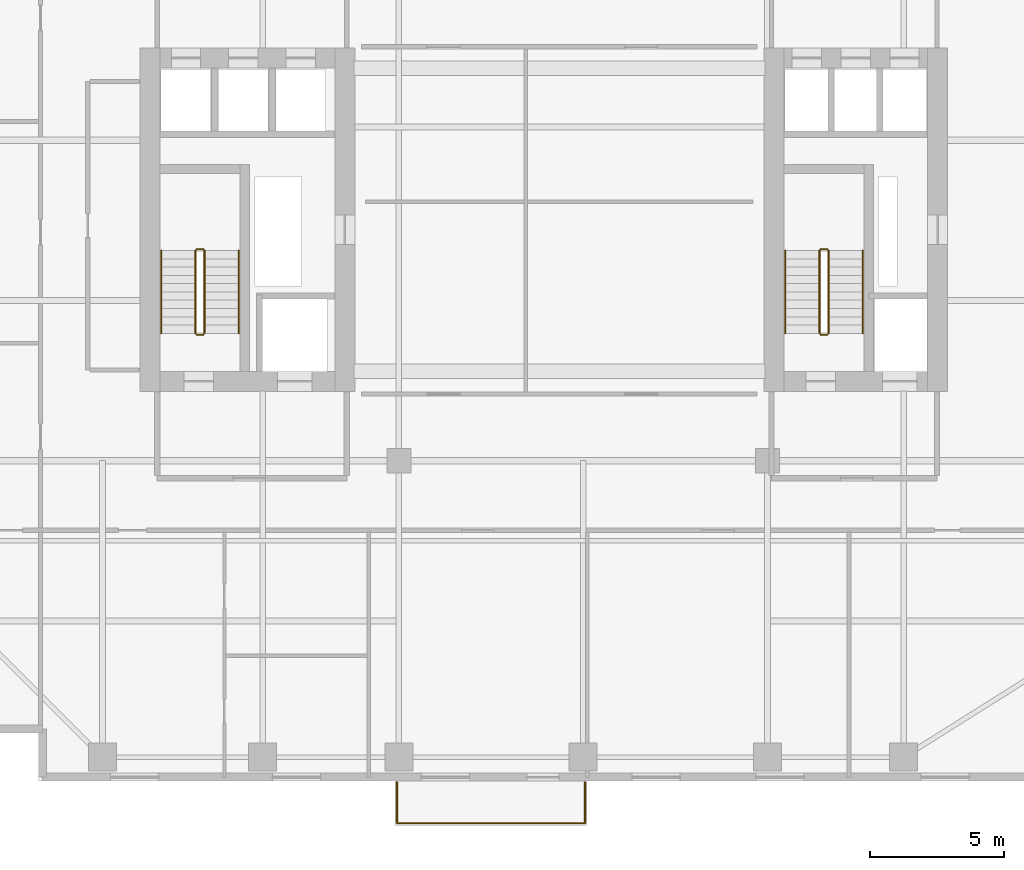
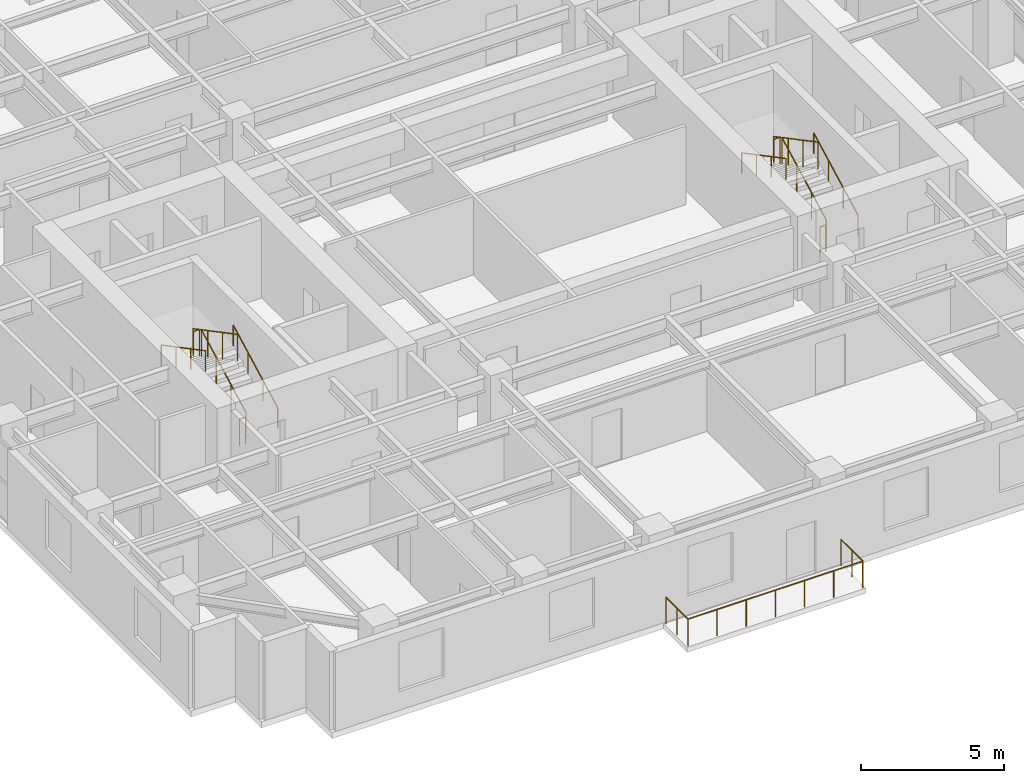
# One storey, part 13 of 14: 13 railings.
"""IFC4 building model written with IfcOpenShell, lengths in metres."""

from ifc_helpers import new_model, si_unit, direction, frame, origin, origin_2d, place, context, subcontext, project, spatial, circle, extrude, material, type_object, element, save


model = new_model("IFC4")

# Units and contexts
model_context = context("Model", 3, precision=1e-05, world=origin(), true_north=direction((0.0, 1.0)))
body_context = subcontext(model_context, "Body", "Model", "MODEL_VIEW")
ifc_project = project(units=[si_unit("LENGTHUNIT", "METRE"), si_unit("AREAUNIT", "SQUARE_METRE"), si_unit("VOLUMEUNIT", "CUBIC_METRE"), si_unit("PLANEANGLEUNIT", "RADIAN"), si_unit("MASSUNIT", "GRAM", prefix="KILO")], contexts=[model_context])

# Site, building, storey
site_placement = place(None, origin())
site = spatial("IfcSite", under=ifc_project, at=site_placement, CompositionType="ELEMENT")
building_placement = place(site_placement, origin())
building = spatial("IfcBuilding", under=site, at=building_placement, Name="Khoralis Quay Care Tower", CompositionType="ELEMENT")
storey_placement = place(building_placement, frame((0.0, 0.0, 108.89990234375)))
storey = spatial("IfcBuildingStorey", under=building, at=storey_placement, Name="L28", CompositionType="ELEMENT", Elevation=108.89990234375)

# Railings
ifc_material_1 = material(Name="Pale anodised aluminium", Category="aluminium")
railing_type_1 = type_object("IfcRailingType", Name="RL-BALUST-1150", PredefinedType="BALUSTRADE", material=ifc_material_1)
railing_1_placement = place(storey_placement, frame((17.030029296875, -0.0400390625, -0.039794921875)))
element("IfcRailing", 1, at=railing_1_placement, inside=storey, type_object=railing_type_1, Name="L28 Senior Loggia Balcony Guard", PredefinedType="BALUSTRADE", context=body_context, shape_type="SweptSolid", body=[
    extrude(circle(Radius=0.02392578125, at=origin_2d()), frame((0.0, 0.0, 1.1259765625), z_axis=(0.0, -1.0, 0.0), x_axis=(1.0, 0.0, 0.0)), (0.0, 0.0, 1.0), 1.530029296875),
    extrude(circle(Radius=0.02392578125, at=origin_2d()), frame((0.0, -1.530029296875, 1.1259765625), z_axis=(1.0, 0.0, 0.0), x_axis=(0.0, 1.0, 0.0)), (0.0, 0.0, 1.0), 7.0400390625),
    extrude(circle(Radius=0.02392578125, at=origin_2d()), frame((7.0400390625, -1.530029296875, 1.1259765625), z_axis=(0.0, 1.0, 0.0), x_axis=(-1.0, 0.0, 0.0)), (0.0, 0.0, 1.0), 1.530029296875),
    extrude(circle(Radius=0.02099609375, at=origin_2d()), origin(), (0.0, 0.0, 1.0), 1.101806640625),
    extrude(circle(Radius=0.02099609375, at=origin_2d()), frame((0.0, -0.76513671875, 0.0)), (0.0, 0.0, 1.0), 1.101806640625),
    extrude(circle(Radius=0.02099609375, at=origin_2d()), frame((0.0, -1.530029296875, 0.0)), (0.0, 0.0, 1.0), 1.101806640625),
    extrude(circle(Radius=0.02099609375, at=origin_2d()), frame((1.17333984375, -1.530029296875, 0.0)), (0.0, 0.0, 1.0), 1.101806640625),
    extrude(circle(Radius=0.02099609375, at=origin_2d()), frame((2.3466796875, -1.530029296875, 0.0)), (0.0, 0.0, 1.0), 1.101806640625),
    extrude(circle(Radius=0.02099609375, at=origin_2d()), frame((3.52001953125, -1.530029296875, 0.0)), (0.0, 0.0, 1.0), 1.101806640625),
    extrude(circle(Radius=0.02099609375, at=origin_2d()), frame((4.693359375, -1.530029296875, 0.0)), (0.0, 0.0, 1.0), 1.101806640625),
    extrude(circle(Radius=0.02099609375, at=origin_2d()), frame((5.86669921875, -1.530029296875, 0.0)), (0.0, 0.0, 1.0), 1.101806640625),
    extrude(circle(Radius=0.02099609375, at=origin_2d()), frame((7.0400390625, -1.530029296875, 0.0)), (0.0, 0.0, 1.0), 1.101806640625),
    extrude(circle(Radius=0.02099609375, at=origin_2d()), frame((7.0400390625, -0.76513671875, 0.0)), (0.0, 0.0, 1.0), 1.101806640625),
    extrude(circle(Radius=0.02099609375, at=origin_2d()), frame((7.0400390625, 0.0, 0.0)), (0.0, 0.0, 1.0), 1.101806640625),
])
ifc_material_2 = material(Name="Brushed stainless steel", Category="steel")
railing_type_2 = type_object("IfcRailingType", Name="RL-GUARD-1150", PredefinedType="GUARDRAIL", material=ifc_material_2)
railing_2_placement = place(storey_placement, frame((9.820068359375, 16.77001953125, 0.163818359375)))
element("IfcRailing", 2, at=railing_2_placement, inside=storey, type_object=railing_type_2, Name="L28 ST-T1 stair guard 1", PredefinedType="GUARDRAIL", context=body_context, shape_type="SweptSolid", body=[
    extrude(circle(Radius=0.02392578125, at=origin_2d()), frame((0.0, 0.0, 1.1259765625), z_axis=(0.0, 0.884376766648, 0.46677375099), x_axis=(-1.0, 0.0, 0.0)), (0.0, 0.0, 1.0), 3.50537109375),
    extrude(circle(Radius=0.02099609375, at=origin_2d()), origin(), (0.0, 0.0, 1.0), 1.101806640625),
    extrude(circle(Radius=0.02099609375, at=origin_2d()), frame((0.0, 1.033447265625, 0.54541015625)), (0.0, 0.0, 1.0), 1.101806640625),
    extrude(circle(Radius=0.02099609375, at=origin_2d()), frame((0.0, 2.066650390625, 1.0908203125)), (0.0, 0.0, 1.0), 1.101806640625),
    extrude(circle(Radius=0.02099609375, at=origin_2d()), frame((0.0, 3.10009765625, 1.63623046875)), (0.0, 0.0, 1.0), 1.101806640625),
])
railing_3_placement = place(storey_placement, frame((9.77001953125, 19.919921875, 1.800048828125)))
element("IfcRailing", 3, at=railing_3_placement, inside=storey, type_object=railing_type_2, Name="L28 ST-T1 stair guard 2", PredefinedType="GUARDRAIL", context=body_context, shape_type="SweptSolid", body=[
    extrude(circle(Radius=0.02392578125, at=origin_2d()), frame((0.0, 0.0, 1.1259765625), z_axis=(-1.0, 0.0, 0.0), x_axis=(0.0, -1.0, 0.0)), (0.0, 0.0, 1.0), 0.239990234375),
    extrude(circle(Radius=0.02099609375, at=origin_2d()), origin(), (0.0, 0.0, 1.0), 1.101806640625),
    extrude(circle(Radius=0.02099609375, at=origin_2d()), frame((-0.239990234375, 0.0, 0.0)), (0.0, 0.0, 1.0), 1.101806640625),
])
railing_4_placement = place(storey_placement, frame((9.47998046875, 19.8701171875, 1.963623046875)))
element("IfcRailing", 4, at=railing_4_placement, inside=storey, type_object=railing_type_2, Name="L28 ST-T1 stair guard 3", PredefinedType="GUARDRAIL", context=body_context, shape_type="SweptSolid", body=[
    extrude(circle(Radius=0.02392578125, at=origin_2d()), frame((0.0, 0.0, 1.1259765625), z_axis=(0.0, -0.884348015382, 0.466828220752), x_axis=(1.0, 0.0, 0.0)), (0.0, 0.0, 1.0), 3.505615234375),
    extrude(circle(Radius=0.02099609375, at=origin_2d()), origin(), (0.0, 0.0, 1.0), 1.101806640625),
    extrude(circle(Radius=0.02099609375, at=origin_2d()), frame((0.0, -1.033447265625, 0.54541015625)), (0.0, 0.0, 1.0), 1.101806640625),
    extrude(circle(Radius=0.02099609375, at=origin_2d()), frame((0.0, -2.066650390625, 1.091064453125)), (0.0, 0.0, 1.0), 1.101806640625),
    extrude(circle(Radius=0.02099609375, at=origin_2d()), frame((0.0, -3.10009765625, 1.636474609375)), (0.0, 0.0, 1.0), 1.101806640625),
])
railing_5_placement = place(storey_placement, frame((9.77001953125, 16.719970703125, 0.0)))
element("IfcRailing", 5, at=railing_5_placement, inside=storey, type_object=railing_type_2, Name="L28 ST-T1 stair guard 4", PredefinedType="GUARDRAIL", context=body_context, shape_type="SweptSolid", body=[
    extrude(circle(Radius=0.02392578125, at=origin_2d()), frame((0.0, 0.0, 1.1259765625), z_axis=(-1.0, 0.0, 0.0), x_axis=(0.0, -1.0, 0.0)), (0.0, 0.0, 1.0), 0.239990234375),
    extrude(circle(Radius=0.02099609375, at=origin_2d()), origin(), (0.0, 0.0, 1.0), 1.101806640625),
    extrude(circle(Radius=0.02099609375, at=origin_2d()), frame((-0.239990234375, 0.0, 0.0)), (0.0, 0.0, 1.0), 1.101806640625),
])
railing_6_placement = place(storey_placement, frame((33.18994140625, 16.77001953125, 0.163818359375)))
element("IfcRailing", 6, at=railing_6_placement, inside=storey, type_object=railing_type_2, Name="L28 ST-T2 stair guard 1", PredefinedType="GUARDRAIL", context=body_context, shape_type="SweptSolid", body=[
    extrude(circle(Radius=0.02392578125, at=origin_2d()), frame((0.0, 0.0, 1.1259765625), z_axis=(0.0, 0.884376766648, 0.46677375099), x_axis=(-1.0, 0.0, 0.0)), (0.0, 0.0, 1.0), 3.50537109375),
    extrude(circle(Radius=0.02099609375, at=origin_2d()), origin(), (0.0, 0.0, 1.0), 1.101806640625),
    extrude(circle(Radius=0.02099609375, at=origin_2d()), frame((0.0, 1.033447265625, 0.54541015625)), (0.0, 0.0, 1.0), 1.101806640625),
    extrude(circle(Radius=0.02099609375, at=origin_2d()), frame((0.0, 2.066650390625, 1.0908203125)), (0.0, 0.0, 1.0), 1.101806640625),
    extrude(circle(Radius=0.02099609375, at=origin_2d()), frame((0.0, 3.10009765625, 1.63623046875)), (0.0, 0.0, 1.0), 1.101806640625),
])
railing_7_placement = place(storey_placement, frame((33.139892578125, 19.919921875, 1.800048828125)))
element("IfcRailing", 7, at=railing_7_placement, inside=storey, type_object=railing_type_2, Name="L28 ST-T2 stair guard 2", PredefinedType="GUARDRAIL", context=body_context, shape_type="SweptSolid", body=[
    extrude(circle(Radius=0.02392578125, at=origin_2d()), frame((0.0, 0.0, 1.1259765625), z_axis=(-1.0, 0.0, 0.0), x_axis=(0.0, -1.0, 0.0)), (0.0, 0.0, 1.0), 0.239990234375),
    extrude(circle(Radius=0.02099609375, at=origin_2d()), origin(), (0.0, 0.0, 1.0), 1.101806640625),
    extrude(circle(Radius=0.02099609375, at=origin_2d()), frame((-0.239990234375, 0.0, 0.0)), (0.0, 0.0, 1.0), 1.101806640625),
])
railing_8_placement = place(storey_placement, frame((32.85009765625, 19.8701171875, 1.963623046875)))
element("IfcRailing", 8, at=railing_8_placement, inside=storey, type_object=railing_type_2, Name="L28 ST-T2 stair guard 3", PredefinedType="GUARDRAIL", context=body_context, shape_type="SweptSolid", body=[
    extrude(circle(Radius=0.02392578125, at=origin_2d()), frame((0.0, 0.0, 1.1259765625), z_axis=(0.0, -0.884348015382, 0.466828220752), x_axis=(1.0, 0.0, 0.0)), (0.0, 0.0, 1.0), 3.505615234375),
    extrude(circle(Radius=0.02099609375, at=origin_2d()), origin(), (0.0, 0.0, 1.0), 1.101806640625),
    extrude(circle(Radius=0.02099609375, at=origin_2d()), frame((0.0, -1.033447265625, 0.54541015625)), (0.0, 0.0, 1.0), 1.101806640625),
    extrude(circle(Radius=0.02099609375, at=origin_2d()), frame((0.0, -2.066650390625, 1.091064453125)), (0.0, 0.0, 1.0), 1.101806640625),
    extrude(circle(Radius=0.02099609375, at=origin_2d()), frame((0.0, -3.10009765625, 1.636474609375)), (0.0, 0.0, 1.0), 1.101806640625),
])
railing_9_placement = place(storey_placement, frame((33.139892578125, 16.719970703125, 0.0)))
element("IfcRailing", 9, at=railing_9_placement, inside=storey, type_object=railing_type_2, Name="L28 ST-T2 stair guard 4", PredefinedType="GUARDRAIL", context=body_context, shape_type="SweptSolid", body=[
    extrude(circle(Radius=0.02392578125, at=origin_2d()), frame((0.0, 0.0, 1.1259765625), z_axis=(-1.0, 0.0, 0.0), x_axis=(0.0, -1.0, 0.0)), (0.0, 0.0, 1.0), 0.239990234375),
    extrude(circle(Radius=0.02099609375, at=origin_2d()), origin(), (0.0, 0.0, 1.0), 1.101806640625),
    extrude(circle(Radius=0.02099609375, at=origin_2d()), frame((-0.239990234375, 0.0, 0.0)), (0.0, 0.0, 1.0), 1.101806640625),
])
railing_type_3 = type_object("IfcRailingType", Name="RL-HAND-900", PredefinedType="HANDRAIL", material=ifc_material_2)
railing_10_placement = place(storey_placement, frame((11.10009765625, 16.77001953125, 0.163818359375)))
element("IfcRailing", 10, at=railing_10_placement, inside=storey, type_object=railing_type_3, Name="L28 ST-T1 stair handrail 1", PredefinedType="HANDRAIL", context=body_context, shape_type="SweptSolid", body=[
    extrude(circle(Radius=0.02392578125, at=origin_2d()), frame((0.0, 0.0, 0.8759765625), z_axis=(0.0, 0.884376766648, 0.46677375099), x_axis=(-1.0, 0.0, 0.0)), (0.0, 0.0, 1.0), 3.50537109375),
    extrude(circle(Radius=0.02099609375, at=origin_2d()), origin(), (0.0, 0.0, 1.0), 0.851806640625),
    extrude(circle(Radius=0.02099609375, at=origin_2d()), frame((0.0, 1.033447265625, 0.54541015625)), (0.0, 0.0, 1.0), 0.851806640625),
    extrude(circle(Radius=0.02099609375, at=origin_2d()), frame((0.0, 2.066650390625, 1.0908203125)), (0.0, 0.0, 1.0), 0.851806640625),
    extrude(circle(Radius=0.02099609375, at=origin_2d()), frame((0.0, 3.10009765625, 1.63623046875)), (0.0, 0.0, 1.0), 0.851806640625),
])
railing_11_placement = place(storey_placement, frame((8.199951171875, 19.8701171875, 1.963623046875)))
element("IfcRailing", 11, at=railing_11_placement, inside=storey, type_object=railing_type_3, Name="L28 ST-T1 stair handrail 2", PredefinedType="HANDRAIL", context=body_context, shape_type="SweptSolid", body=[
    extrude(circle(Radius=0.02392578125, at=origin_2d()), frame((0.0, 0.0, 0.8759765625), z_axis=(0.0, -0.884348015382, 0.466828220752), x_axis=(1.0, 0.0, 0.0)), (0.0, 0.0, 1.0), 3.505615234375),
    extrude(circle(Radius=0.02099609375, at=origin_2d()), origin(), (0.0, 0.0, 1.0), 0.851806640625),
    extrude(circle(Radius=0.02099609375, at=origin_2d()), frame((0.0, -1.033447265625, 0.54541015625)), (0.0, 0.0, 1.0), 0.851806640625),
    extrude(circle(Radius=0.02099609375, at=origin_2d()), frame((0.0, -2.066650390625, 1.091064453125)), (0.0, 0.0, 1.0), 0.851806640625),
    extrude(circle(Radius=0.02099609375, at=origin_2d()), frame((0.0, -3.10009765625, 1.636474609375)), (0.0, 0.0, 1.0), 0.851806640625),
])
railing_12_placement = place(storey_placement, frame((34.469970703125, 16.77001953125, 0.163818359375)))
element("IfcRailing", 12, at=railing_12_placement, inside=storey, type_object=railing_type_3, Name="L28 ST-T2 stair handrail 1", PredefinedType="HANDRAIL", context=body_context, shape_type="SweptSolid", body=[
    extrude(circle(Radius=0.02392578125, at=origin_2d()), frame((0.0, 0.0, 0.8759765625), z_axis=(0.0, 0.884376766648, 0.46677375099), x_axis=(-1.0, 0.0, 0.0)), (0.0, 0.0, 1.0), 3.50537109375),
    extrude(circle(Radius=0.02099609375, at=origin_2d()), origin(), (0.0, 0.0, 1.0), 0.851806640625),
    extrude(circle(Radius=0.02099609375, at=origin_2d()), frame((0.0, 1.033447265625, 0.54541015625)), (0.0, 0.0, 1.0), 0.851806640625),
    extrude(circle(Radius=0.02099609375, at=origin_2d()), frame((0.0, 2.066650390625, 1.0908203125)), (0.0, 0.0, 1.0), 0.851806640625),
    extrude(circle(Radius=0.02099609375, at=origin_2d()), frame((0.0, 3.10009765625, 1.63623046875)), (0.0, 0.0, 1.0), 0.851806640625),
])
railing_13_placement = place(storey_placement, frame((31.570068359375, 19.8701171875, 1.963623046875)))
element("IfcRailing", 13, at=railing_13_placement, inside=storey, type_object=railing_type_3, Name="L28 ST-T2 stair handrail 2", PredefinedType="HANDRAIL", context=body_context, shape_type="SweptSolid", body=[
    extrude(circle(Radius=0.02392578125, at=origin_2d()), frame((0.0, 0.0, 0.8759765625), z_axis=(0.0, -0.884348015382, 0.466828220752), x_axis=(1.0, 0.0, 0.0)), (0.0, 0.0, 1.0), 3.505615234375),
    extrude(circle(Radius=0.02099609375, at=origin_2d()), origin(), (0.0, 0.0, 1.0), 0.851806640625),
    extrude(circle(Radius=0.02099609375, at=origin_2d()), frame((0.0, -1.033447265625, 0.54541015625)), (0.0, 0.0, 1.0), 0.851806640625),
    extrude(circle(Radius=0.02099609375, at=origin_2d()), frame((0.0, -2.066650390625, 1.091064453125)), (0.0, 0.0, 1.0), 0.851806640625),
    extrude(circle(Radius=0.02099609375, at=origin_2d()), frame((0.0, -3.10009765625, 1.636474609375)), (0.0, 0.0, 1.0), 0.851806640625),
])

save(model, "model.ifc")
